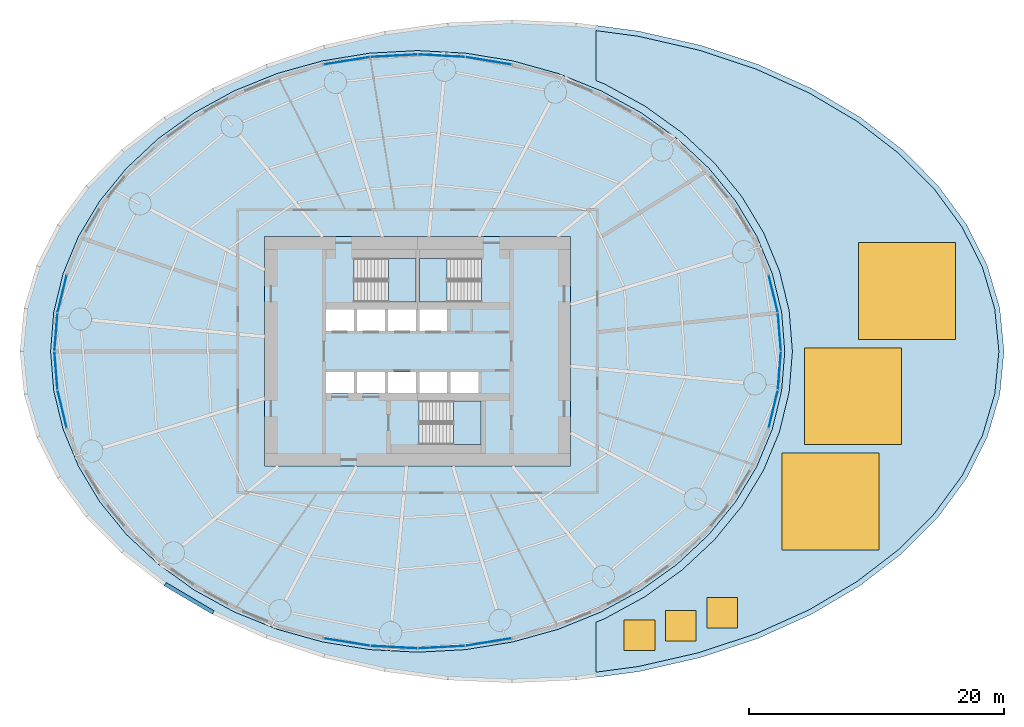
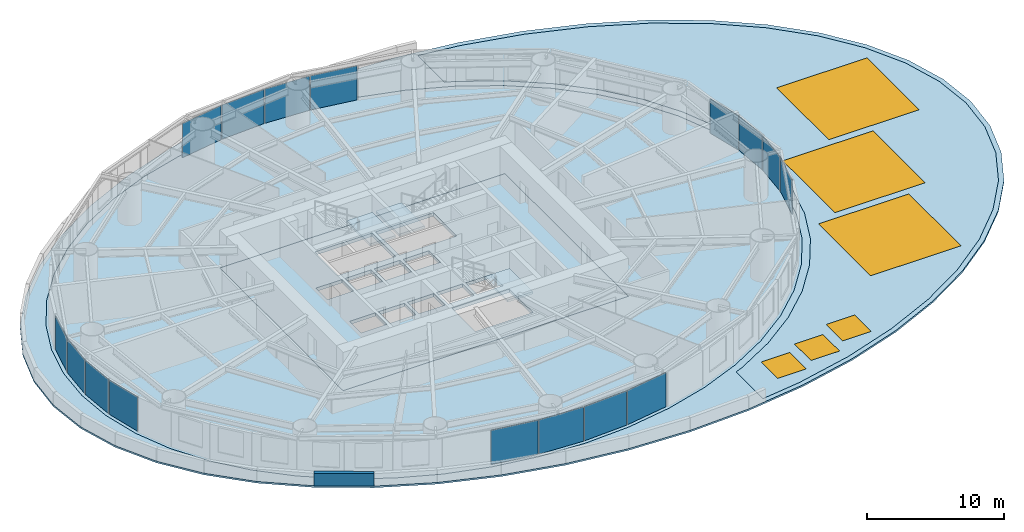
# One storey, part 6 of 11: 16 plates, 7 slabs, 6 windows, 1 wall, 6 openings, 19 elements without a shape of their own.
"""IFC4 building model written with IfcOpenShell, lengths in metres."""

from ifc_helpers import new_model, si_unit, direction, frame, frame_2d, origin, origin_2d, place, context, subcontext, project, spatial, polyline, rectangle, outline, extrude, material, layer, layer_set, type_object, element, fill, aggregate, save


model = new_model("IFC4")

# Units and contexts
model_context = context("Model", 3, precision=1e-05, world=origin(), true_north=direction((0.0, 1.0)))
body_context = subcontext(model_context, "Body", "Model", "MODEL_VIEW")
ifc_project = project(units=[si_unit("LENGTHUNIT", "METRE"), si_unit("AREAUNIT", "SQUARE_METRE"), si_unit("VOLUMEUNIT", "CUBIC_METRE"), si_unit("PLANEANGLEUNIT", "RADIAN"), si_unit("MASSUNIT", "GRAM", prefix="KILO")], contexts=[model_context])

# Site, building, storey
site_placement = place(None, origin())
site = spatial("IfcSite", under=ifc_project, at=site_placement, CompositionType="ELEMENT")
building_placement = place(site_placement, origin())
building = spatial("IfcBuilding", under=site, at=building_placement, Name="Vermilion Reach Broadcast Tower", CompositionType="ELEMENT")
storey_placement = place(building_placement, frame((0.0, 0.0, 36.0)))
storey = spatial("IfcBuildingStorey", under=building, at=storey_placement, Name="L05", CompositionType="ELEMENT", Elevation=36.0)

# Slab, openings, windows
ifc_material_1 = material(Name="Concrete C40/50", Category="concrete")
ifc_layer_1 = layer(ifc_material_1, 0.14990234375)
ifc_layer_set_1 = layer_set([ifc_layer_1], Name="Atrium roof slab 350")
slab_type_1 = type_object("IfcSlabType", Name="Atrium roof slab 350", PredefinedType="ROOF", material=ifc_layer_set_1)
placement_1 = place(storey_placement, frame((0.0, 0.0, -0.14990234375)))
slab_1 = element("IfcSlab", 1, at=placement_1, inside=storey, type_object=slab_type_1, Name="Atrium roof slab", PredefinedType="ROOF", context=body_context, shape_type="SweptSolid", body=[
    extrude(outline(polyline([(8.0, 25.1650390625), (8.0, 21.245849609375), (8.656494140625, 20.98046875), (11.851806640625, 19.23095703125), (14.744873046875, 17.15185546875), (17.28662109375, 14.77685546875), (19.43212890625, 12.1455078125), (21.143310546875, 9.302001953125), (22.388916015625, 6.294677734375), (23.14599609375, 3.175537109375), (23.39990234375, 0.0), (23.14599609375, -3.175537109375), (22.388916015625, -6.294677734375), (21.143310546875, -9.302001953125), (19.43212890625, -12.1455078125), (17.28662109375, -14.77685546875), (14.744873046875, -17.15185546875), (11.851806640625, -19.23095703125), (8.656494140625, -20.98046875), (8.0, -21.245849609375), (8.0, -25.1650390625), (11.3193359375, -24.720458984375), (16.06396484375, -23.635498046875), (20.554931640625, -22.143798828125), (24.714599609375, -20.271728515625), (28.470947265625, -18.052978515625), (31.759521484375, -15.527099609375), (34.52490234375, -12.73974609375), (36.720947265625, -9.740234375), (38.31298828125, -6.58154296875), (39.277099609375, -3.31689453125), (39.60009765625, 0.0), (39.277099609375, 3.31689453125), (38.31298828125, 6.58154296875), (36.720947265625, 9.740234375), (34.52490234375, 12.73974609375), (31.759521484375, 15.527099609375), (28.470947265625, 18.052978515625), (24.714599609375, 20.271728515625), (20.554931640625, 22.143798828125), (16.06396484375, 23.635498046875), (11.3193359375, 24.720458984375), (8.0, 25.1650390625)])), origin(), (0.0, 0.0, 1.0), 0.14990234375),
])
opening_1_placement = place(placement_1, frame((26.39990234375, -11.76513671875, 0.0)))
opening_1 = element("IfcOpeningElement", 2, at=opening_1_placement, cuts=slab_1, Name="Opening SK1", PredefinedType="OPENING", context=body_context, shape_type="SweptSolid", body=[
    extrude(rectangle(XDim=7.60009765625, YDim=7.60009765625, at=origin_2d()), origin(), (0.0, 0.0, 1.0), 0.14990234375),
])
opening_2_placement = place(placement_1, frame((28.14990234375, -3.51513671875, 0.0)))
opening_2 = element("IfcOpeningElement", 3, at=opening_2_placement, cuts=slab_1, Name="Opening SK1", PredefinedType="OPENING", context=body_context, shape_type="SweptSolid", body=[
    extrude(rectangle(XDim=7.60009765625, YDim=7.60009765625, at=origin_2d()), origin(), (0.0, 0.0, 1.0), 0.14990234375),
])
opening_3_placement = place(placement_1, frame((32.39990234375, 4.73486328125, 0.0)))
opening_3 = element("IfcOpeningElement", 4, at=opening_3_placement, cuts=slab_1, Name="Opening SK1", PredefinedType="OPENING", context=body_context, shape_type="SweptSolid", body=[
    extrude(rectangle(XDim=7.60009765625, YDim=7.60009765625, at=origin_2d()), origin(), (0.0, 0.0, 1.0), 0.14990234375),
])
opening_4_placement = place(placement_1, frame((11.39990234375, -22.26513671875, 0.0)))
opening_4 = element("IfcOpeningElement", 5, at=opening_4_placement, cuts=slab_1, Name="Opening SK2", PredefinedType="OPENING", context=body_context, shape_type="SweptSolid", body=[
    extrude(rectangle(XDim=2.39990234375, YDim=2.39990234375, at=origin_2d()), origin(), (0.0, 0.0, 1.0), 0.14990234375),
])
opening_5_placement = place(placement_1, frame((14.64990234375, -21.51513671875, 0.0)))
opening_5 = element("IfcOpeningElement", 6, at=opening_5_placement, cuts=slab_1, Name="Opening SK2", PredefinedType="OPENING", context=body_context, shape_type="SweptSolid", body=[
    extrude(rectangle(XDim=2.39990234375, YDim=2.39990234375, at=origin_2d()), origin(), (0.0, 0.0, 1.0), 0.14990234375),
])
opening_6_placement = place(placement_1, frame((17.89990234375, -20.51513671875, 0.0)))
opening_6 = element("IfcOpeningElement", 7, at=opening_6_placement, cuts=slab_1, Name="Opening SK2", PredefinedType="OPENING", context=body_context, shape_type="SweptSolid", body=[
    extrude(rectangle(XDim=2.39990234375, YDim=2.39990234375, at=origin_2d()), origin(), (0.0, 0.0, 1.0), 0.14990234375),
])
ifc_material_2 = material(Name="Low-e laminated clear glass in aluminium frame", Category="aluminium")
window_type_1 = type_object("IfcWindowType", Name="Atrium SKYLIGHT 2400", PartitioningType="SINGLE_PANEL", PredefinedType="SKYLIGHT", material=ifc_material_2)
window_1_placement = place(opening_4_placement, frame((0.0, 0.0, 0.099853515625)))
window_1 = element("IfcWindow", 8, at=window_1_placement, inside=storey, type_object=window_type_1, Name="SKYLIGHT 04", OverallHeight=2.39990234375, OverallWidth=2.39990234375, PartitioningType="SINGLE_PANEL", PredefinedType="SKYLIGHT", context=body_context, shape_type="SweptSolid", body=[
    extrude(rectangle(XDim=2.39990234375, YDim=2.39990234375, at=origin_2d()), origin(), (0.0, 0.0, 1.0), 0.050048828125),
])
fill(opening_4, window_1)
window_2_placement = place(opening_5_placement, frame((0.0, 0.0, 0.099853515625)))
window_2 = element("IfcWindow", 9, at=window_2_placement, inside=storey, type_object=window_type_1, Name="SKYLIGHT 05", OverallHeight=2.39990234375, OverallWidth=2.39990234375, PartitioningType="SINGLE_PANEL", PredefinedType="SKYLIGHT", context=body_context, shape_type="SweptSolid", body=[
    extrude(rectangle(XDim=2.39990234375, YDim=2.39990234375, at=origin_2d()), origin(), (0.0, 0.0, 1.0), 0.050048828125),
])
fill(opening_5, window_2)
window_3_placement = place(opening_6_placement, frame((0.0, 0.0, 0.099853515625)))
window_3 = element("IfcWindow", 10, at=window_3_placement, inside=storey, type_object=window_type_1, Name="SKYLIGHT 06", OverallHeight=2.39990234375, OverallWidth=2.39990234375, PartitioningType="SINGLE_PANEL", PredefinedType="SKYLIGHT", context=body_context, shape_type="SweptSolid", body=[
    extrude(rectangle(XDim=2.39990234375, YDim=2.39990234375, at=origin_2d()), origin(), (0.0, 0.0, 1.0), 0.050048828125),
])
fill(opening_6, window_3)
ifc_material_3 = material(Name="Low-e laminated clear glass in aluminium frame", Category="aluminium")
window_type_2 = type_object("IfcWindowType", Name="Atrium SKYLIGHT 7600", PartitioningType="SINGLE_PANEL", PredefinedType="SKYLIGHT", material=ifc_material_3)
window_4_placement = place(opening_1_placement, frame((0.0, 0.0, 0.099853515625)))
window_4 = element("IfcWindow", 11, at=window_4_placement, inside=storey, type_object=window_type_2, Name="SKYLIGHT 01", OverallHeight=7.60009765625, OverallWidth=7.60009765625, PartitioningType="SINGLE_PANEL", PredefinedType="SKYLIGHT", context=body_context, shape_type="SweptSolid", body=[
    extrude(rectangle(XDim=7.60009765625, YDim=7.60009765625, at=origin_2d()), origin(), (0.0, 0.0, 1.0), 0.050048828125),
])
fill(opening_1, window_4)
window_5_placement = place(opening_2_placement, frame((0.0, 0.0, 0.099853515625)))
window_5 = element("IfcWindow", 12, at=window_5_placement, inside=storey, type_object=window_type_2, Name="SKYLIGHT 02", OverallHeight=7.60009765625, OverallWidth=7.60009765625, PartitioningType="SINGLE_PANEL", PredefinedType="SKYLIGHT", context=body_context, shape_type="SweptSolid", body=[
    extrude(rectangle(XDim=7.60009765625, YDim=7.60009765625, at=origin_2d()), origin(), (0.0, 0.0, 1.0), 0.050048828125),
])
fill(opening_2, window_5)
window_6_placement = place(opening_3_placement, frame((0.0, 0.0, 0.099853515625)))
window_6 = element("IfcWindow", 13, at=window_6_placement, inside=storey, type_object=window_type_2, Name="SKYLIGHT 03", OverallHeight=7.60009765625, OverallWidth=7.60009765625, PartitioningType="SINGLE_PANEL", PredefinedType="SKYLIGHT", context=body_context, shape_type="SweptSolid", body=[
    extrude(rectangle(XDim=7.60009765625, YDim=7.60009765625, at=origin_2d()), origin(), (0.0, 0.0, 1.0), 0.050048828125),
])
fill(opening_3, window_6)

# Slab
ifc_material_4 = material(Name="Concrete C40", Category="concrete")
ifc_layer_2 = layer(ifc_material_4, 0.300048828125)
ifc_layer_set_2 = layer_set([ifc_layer_2], Name="Core floor slab 300 mm Concrete C40")
slab_type_2 = type_object("IfcSlabType", Name="Core floor slab 300 mm Concrete C40", PredefinedType="FLOOR", material=ifc_layer_set_2)
slab_2_placement = place(storey_placement, frame((0.0, 0.0, -0.300048828125)))
element("IfcSlab", 14, at=slab_2_placement, inside=storey, type_object=slab_type_2, Name="L05 core floor", PredefinedType="FLOOR", context=body_context, shape_type="SweptSolid", body=[
    extrude(outline(polyline([(-18.0, -9.0), (6.0, -9.0), (6.0, 9.0), (-18.0, 9.0), (-18.0, -9.0)]), holes=[polyline([(-13.199951171875, 1.60009765625), (-11.00830078125, 1.60009765625), (-11.00830078125, 3.280029296875), (-13.199951171875, 3.280029296875), (-13.199951171875, 1.60009765625)]), polyline([(-10.75830078125, 1.60009765625), (-8.566650390625, 1.60009765625), (-8.566650390625, 3.280029296875), (-10.75830078125, 3.280029296875), (-10.75830078125, 1.60009765625)]), polyline([(-8.316650390625, 1.60009765625), (-6.125, 1.60009765625), (-6.125, 3.280029296875), (-8.316650390625, 3.280029296875), (-8.316650390625, 1.60009765625)]), polyline([(-5.875, 1.60009765625), (-3.683349609375, 1.60009765625), (-3.683349609375, 3.280029296875), (-5.875, 3.280029296875), (-5.875, 1.60009765625)]), polyline([(-13.199951171875, -3.280029296875), (-11.00830078125, -3.280029296875), (-11.00830078125, -1.60009765625), (-13.199951171875, -1.60009765625), (-13.199951171875, -3.280029296875)]), polyline([(-10.75830078125, -3.280029296875), (-8.566650390625, -3.280029296875), (-8.566650390625, -1.60009765625), (-10.75830078125, -1.60009765625), (-10.75830078125, -3.280029296875)]), polyline([(-8.316650390625, -3.280029296875), (-6.125, -3.280029296875), (-6.125, -1.60009765625), (-8.316650390625, -1.60009765625), (-8.316650390625, -3.280029296875)]), polyline([(-5.875, -3.280029296875), (-3.683349609375, -3.280029296875), (-3.683349609375, -1.60009765625), (-5.875, -1.60009765625), (-5.875, -3.280029296875)]), polyline([(-3.433349609375, -3.280029296875), (-1.24169921875, -3.280029296875), (-1.24169921875, -1.60009765625), (-3.433349609375, -1.60009765625), (-3.433349609375, -3.280029296875)]), polyline([(-10.999267578125, 3.8798828125), (-6.14990234375, 3.8798828125), (-6.14990234375, 7.300048828125), (-10.999267578125, 7.300048828125), (-10.999267578125, 3.8798828125)]), polyline([(-1.000732421875, 7.300048828125), (-5.85009765625, 7.300048828125), (-5.85009765625, 3.8798828125), (-1.000732421875, 3.8798828125), (-1.000732421875, 7.300048828125)]), polyline([(-5.8994140625, -7.300048828125), (-1.050048828125, -7.300048828125), (-1.050048828125, -3.8798828125), (-5.8994140625, -3.8798828125), (-5.8994140625, -7.300048828125)])]), origin(), (0.0, 0.0, 1.0), 0.300048828125),
])

# Stair, slab
ifc_material_5 = material(Name="Concrete C40", Category="concrete")
stair_type = type_object("IfcStairType", Name="Exit stair RC 22 risers 168 mm", PredefinedType="HALF_TURN_STAIR", material=ifc_material_5)
placement_2 = place(storey_placement, origin())
stair_1 = element("IfcStair", 15, at=placement_2, inside=storey, type_object=stair_type, Name="L05 Exit stair ST1", PredefinedType="HALF_TURN_STAIR")
ifc_material_6 = material(Name="Concrete C40", Category="concrete")
ifc_layer_3 = layer(ifc_material_6, 0.199951171875)
ifc_layer_set_3 = layer_set([ifc_layer_3], Name="Exit stair landing Concrete C40")
slab_type_3 = type_object("IfcSlabType", Name="Exit stair landing Concrete C40", PredefinedType="LANDING", material=ifc_layer_set_3)
placement_3 = place(storey_placement, frame((0.0, 0.0, 1.64990234375)))
slab_3 = element("IfcSlab", 16, at=placement_3, type_object=slab_type_3, Name="ST1 landing 1", PredefinedType="LANDING", context=body_context, shape_type="SweptSolid", body=[
    extrude(outline(polyline([(-8.300048828125, 3.8798828125), (-6.14990234375, 3.8798828125), (-6.14990234375, 7.300048828125), (-8.300048828125, 7.300048828125), (-8.300048828125, 3.8798828125)])), origin(), (0.0, 0.0, 1.0), 0.2001953125),
])
aggregate(stair_1, [slab_3])

stair_2 = element("IfcStair", 17, at=placement_2, inside=storey, type_object=stair_type, Name="L05 Exit stair ST2", PredefinedType="HALF_TURN_STAIR")
slab_4 = element("IfcSlab", 18, at=placement_3, type_object=slab_type_3, Name="ST2 landing 1", PredefinedType="LANDING", context=body_context, shape_type="SweptSolid", body=[
    extrude(outline(polyline([(-3.699951171875, 7.300048828125), (-5.85009765625, 7.300048828125), (-5.85009765625, 3.8798828125), (-3.699951171875, 3.8798828125), (-3.699951171875, 7.300048828125)])), origin(), (0.0, 0.0, 1.0), 0.2001953125),
])
aggregate(stair_2, [slab_4])

stair_3 = element("IfcStair", 19, at=placement_2, inside=storey, type_object=stair_type, Name="L05 Exit stair ST3", PredefinedType="HALF_TURN_STAIR")
slab_5 = element("IfcSlab", 20, at=placement_3, type_object=slab_type_3, Name="ST3 landing 1", PredefinedType="LANDING", context=body_context, shape_type="SweptSolid", body=[
    extrude(outline(polyline([(-3.199951171875, -7.300048828125), (-1.050048828125, -7.300048828125), (-1.050048828125, -3.8798828125), (-3.199951171875, -3.8798828125), (-3.199951171875, -7.300048828125)])), origin(), (0.0, 0.0, 1.0), 0.2001953125),
])
aggregate(stair_3, [slab_5])

# Slabs
ifc_material_7 = material(Name="Concrete C40", Category="concrete")
ifc_layer_4 = layer(ifc_material_7, 0.14990234375)
ifc_layer_set_4 = layer_set([ifc_layer_4], Name="Floor slab Concrete C40 composite 150")
slab_type_4 = type_object("IfcSlabType", Name="Floor slab Concrete C40 composite 150", PredefinedType="FLOOR", material=ifc_layer_set_4)
element("IfcSlab", 21, at=placement_1, inside=storey, type_object=slab_type_4, Name="Floor slab L05", PredefinedType="FLOOR", context=body_context, shape_type="SweptSolid", body=[
    extrude(outline(polyline([(22.800048828125, 0.0), (22.5537109375, 3.080322265625), (21.818603515625, 6.108154296875), (20.607666015625, 9.03125), (18.941650390625, 11.800048828125), (16.8486328125, 14.36669921875), (14.36474609375, 16.687744140625), (11.5322265625, 18.72314453125), (8.39990234375, 20.438232421875), (5.021240234375, 21.803466796875), (1.4541015625, 22.7958984375), (-2.240966796875, 23.398193359375), (-6.0, 23.60009765625), (-9.759033203125, 23.398193359375), (-13.4541015625, 22.7958984375), (-17.021240234375, 21.803466796875), (-20.39990234375, 20.438232421875), (-23.5322265625, 18.72314453125), (-26.36474609375, 16.687744140625), (-28.8486328125, 14.36669921875), (-30.941650390625, 11.800048828125), (-32.607666015625, 9.03125), (-33.818603515625, 6.108154296875), (-34.5537109375, 3.080322265625), (-34.800048828125, 0.0), (-34.5537109375, -3.080322265625), (-33.818603515625, -6.108154296875), (-32.607666015625, -9.03125), (-30.941650390625, -11.800048828125), (-28.8486328125, -14.36669921875), (-26.36474609375, -16.687744140625), (-23.5322265625, -18.72314453125), (-20.39990234375, -20.438232421875), (-17.021240234375, -21.803466796875), (-13.4541015625, -22.7958984375), (-9.759033203125, -23.398193359375), (-6.0, -23.60009765625), (-2.240966796875, -23.398193359375), (1.4541015625, -22.7958984375), (5.021240234375, -21.803466796875), (8.39990234375, -20.438232421875), (11.5322265625, -18.72314453125), (14.36474609375, -16.687744140625), (16.8486328125, -14.36669921875), (18.941650390625, -11.800048828125), (20.607666015625, -9.03125), (21.818603515625, -6.108154296875), (22.5537109375, -3.080322265625), (22.800048828125, 0.0)]), holes=[polyline([(-18.0, -9.0), (6.0, -9.0), (6.0, 9.0), (-18.0, 9.0), (-18.0, -9.0)])]), origin(), (0.0, 0.0, 1.0), 0.14990234375),
])
ifc_material_8 = material(Name="Concrete C40", Category="concrete")
ifc_layer_5 = layer(ifc_material_8, 0.14990234375)
ifc_layer_set_5 = layer_set([ifc_layer_5], Name="Podium roof slab Concrete C40 150")
slab_type_5 = type_object("IfcSlabType", Name="Podium roof slab Concrete C40 150", PredefinedType="ROOF", material=ifc_layer_set_5)
element("IfcSlab", 22, at=placement_1, inside=storey, type_object=slab_type_5, Name="Podium roof slab 1", PredefinedType="ROOF", context=body_context, shape_type="SweptSolid", body=[
    extrude(outline(polyline([(38.684814453125, -6.729248046875), (37.061767578125, -9.94970703125), (34.82861328125, -13.0), (32.0234375, -15.827880859375), (28.6943359375, -18.384765625), (24.898193359375, -20.627197265625), (20.699951171875, -22.5166015625), (16.171630859375, -24.020751953125), (11.390380859375, -25.114013671875), (6.438232421875, -25.777587890625), (1.39990234375, -26.0), (-3.638427734375, -25.777587890625), (-8.59033203125, -25.114013671875), (-13.37158203125, -24.020751953125), (-17.89990234375, -22.5166015625), (-22.09814453125, -20.627197265625), (-25.894287109375, -18.384765625), (-29.223388671875, -15.827880859375), (-32.028564453125, -13.0), (-34.26171875, -9.94970703125), (-35.884765625, -6.729248046875), (-36.869873046875, -3.393798828125), (-37.199951171875, 0.0), (-36.869873046875, 3.393798828125), (-35.884765625, 6.729248046875), (-34.26171875, 9.94970703125), (-32.028564453125, 13.0), (-29.223388671875, 15.827880859375), (-25.894287109375, 18.384765625), (-22.09814453125, 20.627197265625), (-17.89990234375, 22.5166015625), (-13.37158203125, 24.020751953125), (-8.59033203125, 25.114013671875), (-3.638427734375, 25.777587890625), (1.39990234375, 26.0), (6.438232421875, 25.777587890625), (11.390380859375, 25.114013671875), (16.171630859375, 24.020751953125), (20.699951171875, 22.5166015625), (24.898193359375, 20.627197265625), (28.6943359375, 18.384765625), (32.0234375, 15.827880859375), (34.82861328125, 13.0), (37.061767578125, 9.94970703125), (38.684814453125, 6.729248046875), (39.669677734375, 3.393798828125), (40.0, 0.0), (39.669677734375, -3.393798828125), (38.684814453125, -6.729248046875)]), holes=[polyline([(21.818603515625, 6.108154296875), (20.607666015625, 9.03125), (18.941650390625, 11.800048828125), (16.8486328125, 14.36669921875), (14.36474609375, 16.687744140625), (11.5322265625, 18.72314453125), (8.39990234375, 20.438232421875), (5.021240234375, 21.803466796875), (1.4541015625, 22.7958984375), (-2.240966796875, 23.398193359375), (-6.0, 23.60009765625), (-9.759033203125, 23.398193359375), (-13.4541015625, 22.7958984375), (-17.021240234375, 21.803466796875), (-20.39990234375, 20.438232421875), (-23.5322265625, 18.72314453125), (-26.36474609375, 16.687744140625), (-28.8486328125, 14.36669921875), (-30.941650390625, 11.800048828125), (-32.607666015625, 9.03125), (-33.818603515625, 6.108154296875), (-34.5537109375, 3.080322265625), (-34.800048828125, 0.0), (-34.5537109375, -3.080322265625), (-33.818603515625, -6.108154296875), (-32.607666015625, -9.03125), (-30.941650390625, -11.800048828125), (-28.8486328125, -14.36669921875), (-26.36474609375, -16.687744140625), (-23.5322265625, -18.72314453125), (-20.39990234375, -20.438232421875), (-17.021240234375, -21.803466796875), (-13.4541015625, -22.7958984375), (-9.759033203125, -23.398193359375), (-6.0, -23.60009765625), (-2.240966796875, -23.398193359375), (1.4541015625, -22.7958984375), (5.021240234375, -21.803466796875), (8.39990234375, -20.438232421875), (11.5322265625, -18.72314453125), (14.36474609375, -16.687744140625), (16.8486328125, -14.36669921875), (18.941650390625, -11.800048828125), (20.607666015625, -9.03125), (21.818603515625, -6.108154296875), (22.5537109375, -3.080322265625), (22.800048828125, 0.0), (22.5537109375, 3.080322265625), (21.818603515625, 6.108154296875)]), polyline([(8.0, 21.245849609375), (8.656494140625, 20.98046875), (11.851806640625, 19.23095703125), (14.744873046875, 17.15185546875), (17.28662109375, 14.77685546875), (19.43212890625, 12.1455078125), (21.143310546875, 9.302001953125), (22.388916015625, 6.294677734375), (23.14599609375, 3.175537109375), (23.39990234375, 0.0), (23.14599609375, -3.175537109375), (22.388916015625, -6.294677734375), (21.143310546875, -9.302001953125), (19.43212890625, -12.1455078125), (17.28662109375, -14.77685546875), (14.744873046875, -17.15185546875), (11.851806640625, -19.23095703125), (8.656494140625, -20.98046875), (8.0, -21.245849609375), (8.0, -25.1650390625), (11.3193359375, -24.720458984375), (16.06396484375, -23.635498046875), (20.554931640625, -22.143798828125), (24.714599609375, -20.271728515625), (28.470947265625, -18.052978515625), (31.759521484375, -15.527099609375), (34.52490234375, -12.73974609375), (36.720947265625, -9.740234375), (38.31298828125, -6.58154296875), (39.277099609375, -3.31689453125), (39.60009765625, 0.0), (39.277099609375, 3.31689453125), (38.31298828125, 6.58154296875), (36.720947265625, 9.740234375), (34.52490234375, 12.73974609375), (31.759521484375, 15.527099609375), (28.470947265625, 18.052978515625), (24.714599609375, 20.271728515625), (20.554931640625, 22.143798828125), (16.06396484375, 23.635498046875), (11.3193359375, 24.720458984375), (8.0, 25.1650390625), (8.0, 21.245849609375)])]), origin(), (0.0, 0.0, 1.0), 0.14990234375),
])

# Curtain wall, plate
ifc_material_9 = material(Name="Low-e laminated clear glass in aluminium frame", Category="aluminium")
curtain_wall_type = type_object("IfcCurtainWallType", Name="Slot curtain wall", PredefinedType="NOTDEFINED", material=ifc_material_9)
curtain_wall_1 = element("IfcCurtainWall", 23, at=placement_2, inside=storey, type_object=curtain_wall_type, Name="Slot curtain wall L05 46", PredefinedType="NOTDEFINED")
ifc_material_10 = material(Name="Low-e laminated clear glass", Category="glass")
ifc_layer_6 = layer(ifc_material_10, 0.028076171875)
ifc_layer_set_6 = layer_set([ifc_layer_6], Name="Slot glass panel")
plate_type = type_object("IfcPlateType", Name="Slot glass panel", PredefinedType="CURTAIN_PANEL", material=ifc_layer_set_6)
plate_1_placement = place(storey_placement, frame((21.8955078125, -4.52392578125, 0.0), z_axis=(0.0, 0.0, 1.0), x_axis=(0.235897065602, 0.971778047931, 0.0)))
plate_1 = element("IfcPlate", 24, at=plate_1_placement, type_object=plate_type, Name="Slot glass panel L05 46", PredefinedType="CURTAIN_PANEL", context=body_context, shape_type="SweptSolid", body=[
    extrude(rectangle(XDim=2.98876953125, YDim=0.028076171875, at=origin_2d()), origin(), (0.0, 0.0, 1.0), 3.050048828125),
])
aggregate(curtain_wall_1, [plate_1])

curtain_wall_2 = element("IfcCurtainWall", 25, at=placement_2, inside=storey, type_object=curtain_wall_type, Name="Slot curtain wall L05 47", PredefinedType="NOTDEFINED")
plate_2_placement = place(storey_placement, frame((22.378662109375, -1.516357421875, 0.0), z_axis=(0.0, 0.0, 1.0), x_axis=(0.079733334581, 0.996816229481, 0.0)))
plate_2 = element("IfcPlate", 26, at=plate_2_placement, type_object=plate_type, Name="Slot glass panel L05 47", PredefinedType="CURTAIN_PANEL", context=body_context, shape_type="SweptSolid", body=[
    extrude(rectangle(XDim=2.96240234375, YDim=0.028076171875, at=origin_2d()), origin(), (0.0, 0.0, 1.0), 3.050048828125),
])
aggregate(curtain_wall_2, [plate_2])

curtain_wall_3 = element("IfcCurtainWall", 27, at=placement_2, inside=storey, type_object=curtain_wall_type, Name="Slot curtain wall L05 00", PredefinedType="NOTDEFINED")
plate_3_placement = place(storey_placement, frame((22.378662109375, 1.516357421875, 0.0), z_axis=(0.0, 0.0, 1.0), x_axis=(-0.079733334581, 0.996816229481, 0.0)))
plate_3 = element("IfcPlate", 28, at=plate_3_placement, type_object=plate_type, Name="Slot glass panel L05 00", PredefinedType="CURTAIN_PANEL", context=body_context, shape_type="SweptSolid", body=[
    extrude(rectangle(XDim=2.96240234375, YDim=0.028076171875, at=origin_2d()), origin(), (0.0, 0.0, 1.0), 3.050048828125),
])
aggregate(curtain_wall_3, [plate_3])

curtain_wall_4 = element("IfcCurtainWall", 29, at=placement_2, inside=storey, type_object=curtain_wall_type, Name="Slot curtain wall L05 01", PredefinedType="NOTDEFINED")
plate_4_placement = place(storey_placement, frame((21.8955078125, 4.52392578125, 0.0), z_axis=(0.0, 0.0, 1.0), x_axis=(-0.235897065602, 0.971778047931, 0.0)))
plate_4 = element("IfcPlate", 30, at=plate_4_placement, type_object=plate_type, Name="Slot glass panel L05 01", PredefinedType="CURTAIN_PANEL", context=body_context, shape_type="SweptSolid", body=[
    extrude(rectangle(XDim=2.98876953125, YDim=0.028076171875, at=origin_2d()), origin(), (0.0, 0.0, 1.0), 3.050048828125),
])
aggregate(curtain_wall_4, [plate_4])

curtain_wall_5 = element("IfcCurtainWall", 31, at=placement_2, inside=storey, type_object=curtain_wall_type, Name="Slot curtain wall L05 10", PredefinedType="NOTDEFINED")
plate_5_placement = place(storey_placement, frame((-0.441650390625, 22.80126953125, 0.0), z_axis=(0.0, 0.0, 1.0), x_axis=(-0.986975210392, 0.160872415509, 0.0)))
plate_5 = element("IfcPlate", 32, at=plate_5_placement, type_object=plate_type, Name="Slot glass panel L05 10", PredefinedType="CURTAIN_PANEL", context=body_context, shape_type="SweptSolid", body=[
    extrude(rectangle(XDim=3.631103515625, YDim=0.028076171875, at=origin_2d()), origin(), (0.0, 0.0, 1.0), 3.050048828125),
])
aggregate(curtain_wall_5, [plate_5])

curtain_wall_6 = element("IfcCurtainWall", 33, at=placement_2, inside=storey, type_object=curtain_wall_type, Name="Slot curtain wall L05 11", PredefinedType="NOTDEFINED")
plate_6_placement = place(storey_placement, frame((-4.136474609375, 23.199951171875, 0.0), z_axis=(0.0, 0.0, 1.0), x_axis=(-0.998560801201, 0.053631392895, 0.0)))
plate_6 = element("IfcPlate", 34, at=plate_6_placement, type_object=plate_type, Name="Slot glass panel L05 11", PredefinedType="CURTAIN_PANEL", context=body_context, shape_type="SweptSolid", body=[
    extrude(rectangle(XDim=3.65234375, YDim=0.028076171875, at=origin_2d()), origin(), (0.0, 0.0, 1.0), 3.050048828125),
])
aggregate(curtain_wall_6, [plate_6])

curtain_wall_7 = element("IfcCurtainWall", 35, at=placement_2, inside=storey, type_object=curtain_wall_type, Name="Slot curtain wall L05 12", PredefinedType="NOTDEFINED")
plate_7_placement = place(storey_placement, frame((-7.863525390625, 23.199951171875, 0.0), z_axis=(0.0, 0.0, 1.0), x_axis=(-0.998560801201, -0.053631392895, 0.0)))
plate_7 = element("IfcPlate", 36, at=plate_7_placement, type_object=plate_type, Name="Slot glass panel L05 12", PredefinedType="CURTAIN_PANEL", context=body_context, shape_type="SweptSolid", body=[
    extrude(rectangle(XDim=3.65234375, YDim=0.028076171875, at=origin_2d()), origin(), (0.0, 0.0, 1.0), 3.050048828125),
])
aggregate(curtain_wall_7, [plate_7])

curtain_wall_8 = element("IfcCurtainWall", 37, at=placement_2, inside=storey, type_object=curtain_wall_type, Name="Slot curtain wall L05 13", PredefinedType="NOTDEFINED")
plate_8_placement = place(storey_placement, frame((-11.558349609375, 22.80126953125, 0.0), z_axis=(0.0, 0.0, 1.0), x_axis=(-0.986975210392, -0.160872415509, 0.0)))
plate_8 = element("IfcPlate", 38, at=plate_8_placement, type_object=plate_type, Name="Slot glass panel L05 13", PredefinedType="CURTAIN_PANEL", context=body_context, shape_type="SweptSolid", body=[
    extrude(rectangle(XDim=3.631103515625, YDim=0.028076171875, at=origin_2d()), origin(), (0.0, 0.0, 1.0), 3.050048828125),
])
aggregate(curtain_wall_8, [plate_8])

curtain_wall_9 = element("IfcCurtainWall", 39, at=placement_2, inside=storey, type_object=curtain_wall_type, Name="Slot curtain wall L05 22", PredefinedType="NOTDEFINED")
plate_9_placement = place(storey_placement, frame((-33.8955078125, 4.52392578125, 0.0), z_axis=(0.0, 0.0, 1.0), x_axis=(-0.235897065602, -0.971778047931, 0.0)))
plate_9 = element("IfcPlate", 40, at=plate_9_placement, type_object=plate_type, Name="Slot glass panel L05 22", PredefinedType="CURTAIN_PANEL", context=body_context, shape_type="SweptSolid", body=[
    extrude(rectangle(XDim=2.98876953125, YDim=0.028076171875, at=origin_2d()), origin(), (0.0, 0.0, 1.0), 3.050048828125),
])
aggregate(curtain_wall_9, [plate_9])

curtain_wall_10 = element("IfcCurtainWall", 41, at=placement_2, inside=storey, type_object=curtain_wall_type, Name="Slot curtain wall L05 23", PredefinedType="NOTDEFINED")
plate_10_placement = place(storey_placement, frame((-34.378662109375, 1.516357421875, 0.0), z_axis=(0.0, 0.0, 1.0), x_axis=(-0.079733334581, -0.996816229481, 0.0)))
plate_10 = element("IfcPlate", 42, at=plate_10_placement, type_object=plate_type, Name="Slot glass panel L05 23", PredefinedType="CURTAIN_PANEL", context=body_context, shape_type="SweptSolid", body=[
    extrude(rectangle(XDim=2.96240234375, YDim=0.028076171875, at=origin_2d()), origin(), (0.0, 0.0, 1.0), 3.050048828125),
])
aggregate(curtain_wall_10, [plate_10])

curtain_wall_11 = element("IfcCurtainWall", 43, at=placement_2, inside=storey, type_object=curtain_wall_type, Name="Slot curtain wall L05 24", PredefinedType="NOTDEFINED")
plate_11_placement = place(storey_placement, frame((-34.378662109375, -1.516357421875, 0.0), z_axis=(0.0, 0.0, 1.0), x_axis=(0.079733334581, -0.996816229481, 0.0)))
plate_11 = element("IfcPlate", 44, at=plate_11_placement, type_object=plate_type, Name="Slot glass panel L05 24", PredefinedType="CURTAIN_PANEL", context=body_context, shape_type="SweptSolid", body=[
    extrude(rectangle(XDim=2.96240234375, YDim=0.028076171875, at=origin_2d()), origin(), (0.0, 0.0, 1.0), 3.050048828125),
])
aggregate(curtain_wall_11, [plate_11])

curtain_wall_12 = element("IfcCurtainWall", 45, at=placement_2, inside=storey, type_object=curtain_wall_type, Name="Slot curtain wall L05 25", PredefinedType="NOTDEFINED")
plate_12_placement = place(storey_placement, frame((-33.8955078125, -4.52392578125, 0.0), z_axis=(0.0, 0.0, 1.0), x_axis=(0.235897065602, -0.971778047931, 0.0)))
plate_12 = element("IfcPlate", 46, at=plate_12_placement, type_object=plate_type, Name="Slot glass panel L05 25", PredefinedType="CURTAIN_PANEL", context=body_context, shape_type="SweptSolid", body=[
    extrude(rectangle(XDim=2.98876953125, YDim=0.028076171875, at=origin_2d()), origin(), (0.0, 0.0, 1.0), 3.050048828125),
])
aggregate(curtain_wall_12, [plate_12])

curtain_wall_13 = element("IfcCurtainWall", 47, at=placement_2, inside=storey, type_object=curtain_wall_type, Name="Slot curtain wall L05 34", PredefinedType="NOTDEFINED")
plate_13_placement = place(storey_placement, frame((-11.558349609375, -22.80126953125, 0.0), z_axis=(0.0, 0.0, 1.0), x_axis=(0.986975210392, -0.160872415509, 0.0)))
plate_13 = element("IfcPlate", 48, at=plate_13_placement, type_object=plate_type, Name="Slot glass panel L05 34", PredefinedType="CURTAIN_PANEL", context=body_context, shape_type="SweptSolid", body=[
    extrude(rectangle(XDim=3.631103515625, YDim=0.028076171875, at=origin_2d()), origin(), (0.0, 0.0, 1.0), 3.050048828125),
])
aggregate(curtain_wall_13, [plate_13])

curtain_wall_14 = element("IfcCurtainWall", 49, at=placement_2, inside=storey, type_object=curtain_wall_type, Name="Slot curtain wall L05 35", PredefinedType="NOTDEFINED")
plate_14_placement = place(storey_placement, frame((-7.863525390625, -23.199951171875, 0.0), z_axis=(0.0, 0.0, 1.0), x_axis=(0.998560801201, -0.053631392895, 0.0)))
plate_14 = element("IfcPlate", 50, at=plate_14_placement, type_object=plate_type, Name="Slot glass panel L05 35", PredefinedType="CURTAIN_PANEL", context=body_context, shape_type="SweptSolid", body=[
    extrude(rectangle(XDim=3.65234375, YDim=0.028076171875, at=origin_2d()), origin(), (0.0, 0.0, 1.0), 3.050048828125),
])
aggregate(curtain_wall_14, [plate_14])

curtain_wall_15 = element("IfcCurtainWall", 51, at=placement_2, inside=storey, type_object=curtain_wall_type, Name="Slot curtain wall L05 36", PredefinedType="NOTDEFINED")
plate_15_placement = place(storey_placement, frame((-4.136474609375, -23.199951171875, 0.0), z_axis=(0.0, 0.0, 1.0), x_axis=(0.998560801201, 0.053631392895, 0.0)))
plate_15 = element("IfcPlate", 52, at=plate_15_placement, type_object=plate_type, Name="Slot glass panel L05 36", PredefinedType="CURTAIN_PANEL", context=body_context, shape_type="SweptSolid", body=[
    extrude(rectangle(XDim=3.65234375, YDim=0.028076171875, at=origin_2d()), origin(), (0.0, 0.0, 1.0), 3.050048828125),
])
aggregate(curtain_wall_15, [plate_15])

curtain_wall_16 = element("IfcCurtainWall", 53, at=placement_2, inside=storey, type_object=curtain_wall_type, Name="Slot curtain wall L05 37", PredefinedType="NOTDEFINED")
plate_16_placement = place(storey_placement, frame((-0.441650390625, -22.80126953125, 0.0), z_axis=(0.0, 0.0, 1.0), x_axis=(0.986975210392, 0.160872415509, 0.0)))
plate_16 = element("IfcPlate", 54, at=plate_16_placement, type_object=plate_type, Name="Slot glass panel L05 37", PredefinedType="CURTAIN_PANEL", context=body_context, shape_type="SweptSolid", body=[
    extrude(rectangle(XDim=3.631103515625, YDim=0.028076171875, at=origin_2d()), origin(), (0.0, 0.0, 1.0), 3.050048828125),
])
aggregate(curtain_wall_16, [plate_16])

# Wall
ifc_material_11 = material(Name="Precast concrete C40/50", Category="concrete")
ifc_layer_7 = layer(ifc_material_11, 0.300048828125)
ifc_layer_set_7 = layer_set([ifc_layer_7], Name="Podium parapet 300")
wall_type = type_object("IfcWallType", Name="Podium parapet 300", PredefinedType="PARAPET", material=ifc_layer_set_7)
wall_placement = place(storey_placement, frame((-25.803466796875, -18.26513671875, 0.0), z_axis=(0.0, 0.0, 1.0), x_axis=(0.861027611146, -0.508558209888, 0.0)))
element("IfcWall", 55, at=wall_placement, inside=storey, type_object=wall_type, Name="Podium parapet 21", PredefinedType="PARAPET", context=body_context, shape_type="SweptSolid", body=[
    extrude(rectangle(XDim=4.374755859375, YDim=0.300048828125, at=frame_2d((2.1875, 0.0))), origin(), (0.0, 0.0, 1.0), 1.10009765625),
])

save(model, "model.ifc")
